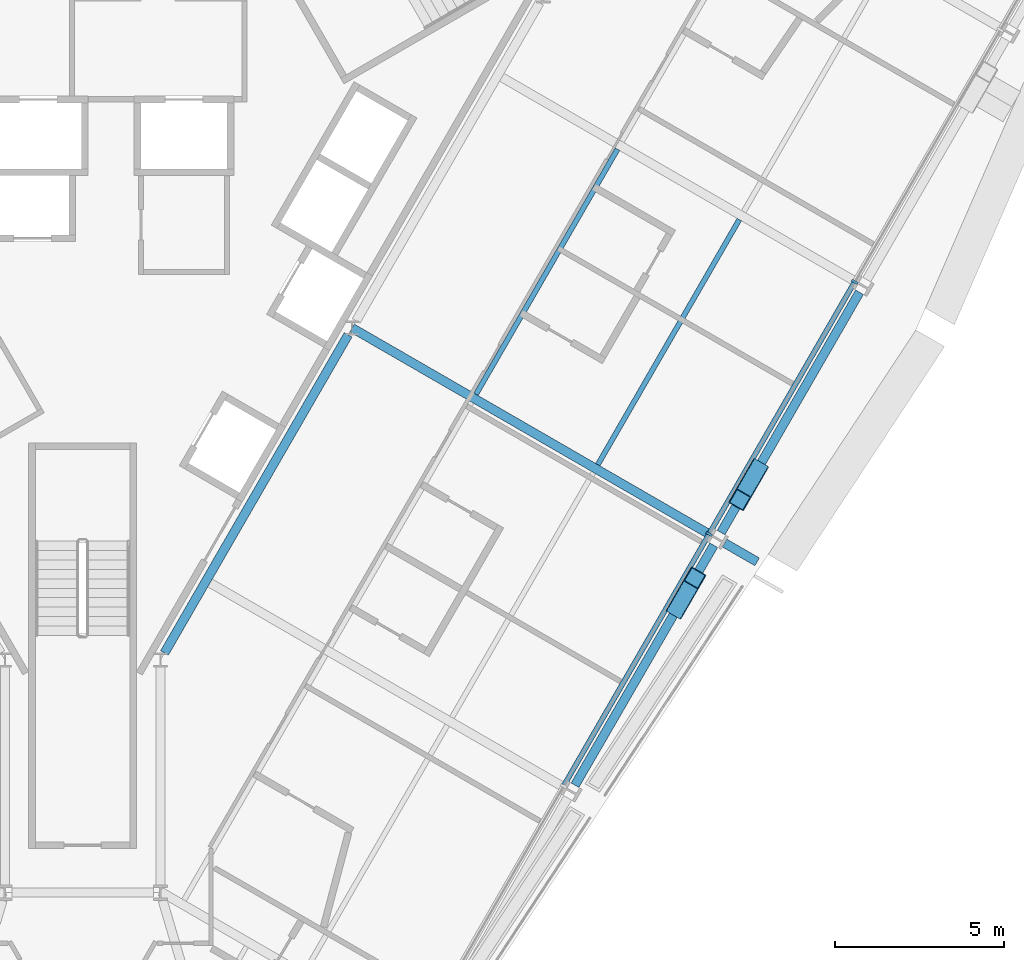
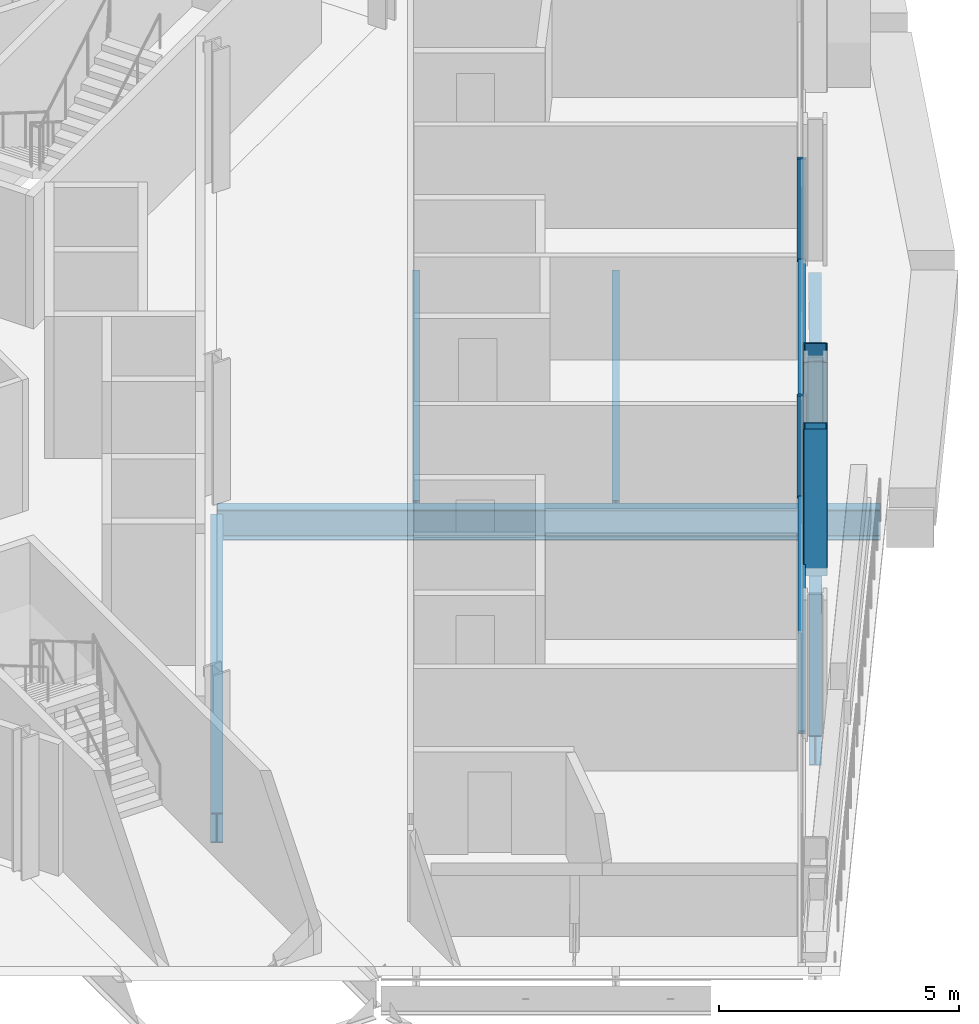
# One storey, part 6 of 18: 7 beams, 6 members, 1 element without a shape of its own.
"""IFC4 building model written with IfcOpenShell, lengths in metres."""

from ifc_helpers import new_model, si_unit, direction, frame, origin, origin_2d, place, context, subcontext, project, spatial, rectangle, hollow_rectangle, i_section, extrude, material, material_profile, profile_set, type_object, element, aggregate, save


model = new_model("IFC4")

# Units and contexts
model_context = context("Model", 3, precision=1e-05, world=origin(), true_north=direction((0.0, 1.0)))
body_context = subcontext(model_context, "Body", "Model", "MODEL_VIEW")
ifc_project = project(units=[si_unit("LENGTHUNIT", "METRE"), si_unit("AREAUNIT", "SQUARE_METRE"), si_unit("VOLUMEUNIT", "CUBIC_METRE"), si_unit("PLANEANGLEUNIT", "RADIAN"), si_unit("MASSUNIT", "GRAM", prefix="KILO")], contexts=[model_context])

# Site, building, storey
site_placement = place(None, origin())
site = spatial("IfcSite", under=ifc_project, at=site_placement, CompositionType="ELEMENT")
building_placement = place(site_placement, origin())
building = spatial("IfcBuilding", under=site, at=building_placement, Name="Verrane Prism Tower", CompositionType="ELEMENT")
storey_placement = place(building_placement, frame((0.0, 0.0, 80.0)))
storey = spatial("IfcBuildingStorey", under=building, at=storey_placement, Name="L18", CompositionType="ELEMENT", Elevation=80.0)

# Beam
ifc_material_1 = material(Name="Steel A992", Category="steel")
ifc_material_profile_1 = material_profile(ifc_material_1, i_section(OverallWidth=0.2666015625, OverallDepth=0.7568359375, WebThickness=0.013916015625, FlangeThickness=0.019287109375, FilletRadius=0.0166015625, at=origin_2d()), Name="W30x108")
ifc_profile_set_1 = profile_set([ifc_material_profile_1], Name="Steel A992")
beam_type_1 = type_object("IfcBeamType", Name="Core ring girder W30x108", PredefinedType="BEAM", material=ifc_profile_set_1)
beam_1_placement = place(storey_placement, frame((2.42041015625, -14.211669921875, -0.62841796875), z_axis=(0.500013103396, 0.866017838403, 0.0), x_axis=(-0.866017838403, 0.500013103396, 0.0)))
element("IfcBeam", 1, at=beam_1_placement, inside=storey, type_object=beam_type_1, Name="Core ring girder L18", PredefinedType="BEAM", context=body_context, shape_type="SweptSolid", body=[
    extrude(i_section(OverallWidth=0.2666015625, OverallDepth=0.7568359375, WebThickness=0.013916015625, FlangeThickness=0.019287109375, FilletRadius=0.0166015625, at=origin_2d()), origin(), (0.0, 0.0, 1.0), 10.858154296875),
])

# Members
ifc_material_2 = material(Name="Steel A1085 Grade A", Category="steel")
ifc_material_profile_2 = material_profile(ifc_material_2, hollow_rectangle(XDim=0.508056640625, YDim=0.508056640625, WallThickness=0.025390625, InnerFilletRadius=0.0126953125, OuterFilletRadius=0.0380859375, at=origin_2d()), Name="HSS20x20x1")
ifc_profile_set_2 = profile_set([ifc_material_profile_2], Name="Steel A1085 Grade A")
member_type_1 = type_object("IfcMemberType", Name="Facade brace HSS20x20x1", PredefinedType="BRACE", material=ifc_profile_set_2)
member_1_placement = place(storey_placement, frame((17.58642578125, -12.88671875, -0.24267578125), z_axis=(0.162156397274, 0.28047221555, 0.946065874624), x_axis=(-0.865723599359, 0.500522376635, 0.0)))
element("IfcMember", 2, at=member_1_placement, inside=storey, type_object=member_type_1, Name="Facade brace SE2 L18", PredefinedType="BRACE", context=body_context, shape_type="SweptSolid", body=[
    extrude(hollow_rectangle(XDim=0.508056640625, YDim=0.508056640625, WallThickness=0.025390625, InnerFilletRadius=0.0126953125, OuterFilletRadius=0.0380859375, at=origin_2d()), origin(), (0.0, 0.0, 1.0), 3.1796875),
])
member_2_placement = place(storey_placement, frame((19.95068359375, -8.790771484375, -0.24267578125), z_axis=(-0.161768620723, -0.280772589457, 0.946043163053), x_axis=(0.866473393916, -0.499223254302, 0.0)))
element("IfcMember", 3, at=member_2_placement, inside=storey, type_object=member_type_1, Name="Facade brace SE3 L18", PredefinedType="BRACE", context=body_context, shape_type="SweptSolid", body=[
    extrude(hollow_rectangle(XDim=0.508056640625, YDim=0.508056640625, WallThickness=0.025390625, InnerFilletRadius=0.0126953125, OuterFilletRadius=0.0380859375, at=origin_2d()), origin(), (0.0, 0.0, 1.0), 3.179931640625),
])

# Beams
ifc_material_3 = material(Name="Steel A992", Category="steel")
ifc_material_profile_3 = material_profile(ifc_material_3, i_section(OverallWidth=0.15234375, OverallDepth=0.449462890625, WebThickness=0.007568359375, FlangeThickness=0.0107421875, FilletRadius=0.01025390625, at=origin_2d()), Name="W18x35")
ifc_profile_set_3 = profile_set([ifc_material_profile_3], Name="Steel A992")
beam_type_2 = type_object("IfcBeamType", Name="Floor beam W18x35", PredefinedType="BEAM", material=ifc_profile_set_3)
beam_2_placement = place(storey_placement, frame((15.234619140625, -8.64306640625, -0.384765625), z_axis=(0.500002862074, 0.866023751359, 0.0), x_axis=(-0.866023751359, 0.500002862074, 0.0)))
element("IfcBeam", 4, at=beam_2_placement, inside=storey, type_object=beam_type_2, Name="Floor beam L18", PredefinedType="BEAM", context=body_context, shape_type="SweptSolid", body=[
    extrude(i_section(OverallWidth=0.15234375, OverallDepth=0.449462890625, WebThickness=0.007568359375, FlangeThickness=0.0107421875, FilletRadius=0.01025390625, at=origin_2d()), origin(), (0.0, 0.0, 1.0), 8.36572265625),
])
beam_3_placement = place(storey_placement, frame((11.632568359375, -6.56201171875, -0.384765625), z_axis=(0.499990225416, 0.86603104707, 0.0), x_axis=(-0.86603104707, 0.499990225416, 0.0)))
element("IfcBeam", 5, at=beam_3_placement, inside=storey, type_object=beam_type_2, Name="Floor beam L18", PredefinedType="BEAM", context=body_context, shape_type="SweptSolid", body=[
    extrude(i_section(OverallWidth=0.15234375, OverallDepth=0.449462890625, WebThickness=0.007568359375, FlangeThickness=0.0107421875, FilletRadius=0.01025390625, at=origin_2d()), origin(), (0.0, 0.0, 1.0), 8.365966796875),
])

# Curtain wall, members
ifc_material_4 = material(Name="Aluminium framed insulated glazing", Category="aluminium")
curtain_wall_type = type_object("IfcCurtainWallType", Name="Curtain wall CW-A 8400 module", PredefinedType="NOTDEFINED", material=ifc_material_4)
curtain_wall_placement = place(storey_placement, origin())
curtain_wall = element("IfcCurtainWall", 6, at=curtain_wall_placement, inside=storey, type_object=curtain_wall_type, Name="Glazed curtain wall south-east face L18", PredefinedType="NOTDEFINED")
ifc_material_5 = material(Name="Aluminium alloy 6063-T6", Category="aluminium")
ifc_material_profile_4 = material_profile(ifc_material_5, rectangle(XDim=0.199951171875, YDim=0.070068359375, at=origin_2d()), Name="Mullion 70x200 aluminium")
ifc_profile_set_4 = profile_set([ifc_material_profile_4], Name="Aluminium alloy 6063-T6")
member_type_2 = type_object("IfcMemberType", Name="Mullion 70x200 aluminium", PredefinedType="MULLION", material=ifc_profile_set_4)
member_3_placement = place(storey_placement, frame((18.525146484375, -10.695556640625, 0.0), z_axis=(0.0, 0.0, 1.0), x_axis=(-0.866025845387, 0.499999235121, 0.0)))
member_3 = element("IfcMember", 7, at=member_3_placement, type_object=member_type_2, Name="CW17.6 mullion 4", PredefinedType="MULLION", context=body_context, shape_type="SweptSolid", body=[
    extrude(rectangle(XDim=0.199951171875, YDim=0.070068359375, at=origin_2d()), origin(), (0.0, 0.0, 1.0), 2.61279296875),
])
member_4_placement = place(storey_placement, frame((22.828857421875, -3.2412109375, 0.0), z_axis=(0.0, 0.0, 1.0), x_axis=(-0.866025845387, 0.499999235121, 0.0)))
member_4 = element("IfcMember", 8, at=member_4_placement, type_object=member_type_2, Name="CW17.6 mullion 5", PredefinedType="MULLION", context=body_context, shape_type="SweptSolid", body=[
    extrude(rectangle(XDim=0.199951171875, YDim=0.070068359375, at=origin_2d()), origin(), (0.0, 0.0, 1.0), 2.61279296875),
])

# Beams
ifc_material_6 = material(Name="Steel A992", Category="steel")
ifc_material_profile_5 = material_profile(ifc_material_6, i_section(OverallWidth=0.2666015625, OverallDepth=0.76708984375, WebThickness=0.014892578125, FlangeThickness=0.023681640625, FilletRadius=0.0166015625, at=origin_2d()), Name="W30x124")
ifc_profile_set_5 = profile_set([ifc_material_profile_5], Name="Steel A992")
beam_type_3 = type_object("IfcBeamType", Name="Radial girder W30x124", PredefinedType="BEAM", material=ifc_profile_set_5)
beam_4_placement = place(storey_placement, frame((18.554443359375, -10.715576171875, -0.603515625), z_axis=(-0.86602594319, 0.49999906572, 0.0), x_axis=(-0.49999906572, -0.86602594319, 0.0)))
element("IfcBeam", 9, at=beam_4_placement, inside=storey, type_object=beam_type_3, Name="Radial girder L18", PredefinedType="BEAM", context=body_context, shape_type="SweptSolid", body=[
    extrude(i_section(OverallWidth=0.2666015625, OverallDepth=0.76708984375, WebThickness=0.014892578125, FlangeThickness=0.023681640625, FilletRadius=0.0166015625, at=origin_2d()), origin(), (0.0, 0.0, 1.0), 12.22412109375),
])
beam_5_placement = place(storey_placement, frame((18.982177734375, -10.96240234375, -0.603515625), z_axis=(0.865922159541, -0.500178781653, 0.0), x_axis=(0.500178781653, 0.865922159541, 0.0)))
element("IfcBeam", 10, at=beam_5_placement, inside=storey, type_object=beam_type_3, Name="Cantilever girder L18", PredefinedType="BEAM", context=body_context, shape_type="SweptSolid", body=[
    extrude(i_section(OverallWidth=0.2666015625, OverallDepth=0.76708984375, WebThickness=0.014892578125, FlangeThickness=0.023681640625, FilletRadius=0.0166015625, at=origin_2d()), origin(), (0.0, 0.0, 1.0), 1.111328125),
])
ifc_material_7 = material(Name="Steel A992", Category="steel")
ifc_material_profile_6 = material_profile(ifc_material_7, i_section(OverallWidth=0.2666015625, OverallDepth=0.7568359375, WebThickness=0.013916015625, FlangeThickness=0.019287109375, FilletRadius=0.0166015625, at=origin_2d()), Name="W30x108")
ifc_profile_set_6 = profile_set([ifc_material_profile_6], Name="Steel A992")
beam_type_4 = type_object("IfcBeamType", Name="Spandrel beam W30x108", PredefinedType="SPANDREL", material=ifc_profile_set_6)
beam_6_placement = place(storey_placement, frame((14.55810546875, -18.123046875, -0.53857421875), z_axis=(0.500619438317, 0.865667475408, 0.0), x_axis=(-0.865667475408, 0.500619438317, 0.0)))
element("IfcBeam", 11, at=beam_6_placement, inside=storey, type_object=beam_type_4, Name="Spandrel beam L18", PredefinedType="SPANDREL", context=body_context, shape_type="SweptSolid", body=[
    extrude(i_section(OverallWidth=0.2666015625, OverallDepth=0.7568359375, WebThickness=0.013916015625, FlangeThickness=0.019287109375, FilletRadius=0.0166015625, at=origin_2d()), origin(), (0.0, 0.0, 1.0), 8.197265625),
])
beam_7_placement = place(storey_placement, frame((18.877685546875, -10.65283203125, -0.53857421875), z_axis=(0.499267942203, 0.866447645209, 0.0), x_axis=(-0.866447645209, 0.499267942203, 0.0)))
element("IfcBeam", 12, at=beam_7_placement, inside=storey, type_object=beam_type_4, Name="Spandrel beam L18", PredefinedType="SPANDREL", context=body_context, shape_type="SweptSolid", body=[
    extrude(i_section(OverallWidth=0.2666015625, OverallDepth=0.7568359375, WebThickness=0.013916015625, FlangeThickness=0.019287109375, FilletRadius=0.0166015625, at=origin_2d()), origin(), (0.0, 0.0, 1.0), 8.200927734375),
])

# Member
ifc_material_8 = material(Name="Aluminium alloy 6063-T6", Category="aluminium")
ifc_material_profile_7 = material_profile(ifc_material_8, rectangle(XDim=0.14990234375, YDim=0.070068359375, at=origin_2d()), Name="Transom 70x150 aluminium")
ifc_profile_set_7 = profile_set([ifc_material_profile_7], Name="Aluminium alloy 6063-T6")
member_type_3 = type_object("IfcMemberType", Name="Transom 70x150 aluminium", PredefinedType="USERDEFINED", material=ifc_profile_set_7)
member_5_placement = place(storey_placement, frame((14.23876953125, -18.119384765625, 0.034912109375), z_axis=(0.50001124802, 0.866018909639, 0.0), x_axis=(-0.866018909639, 0.50001124802, 0.0)))
member_5 = element("IfcMember", 13, at=member_5_placement, type_object=member_type_3, Name="CW17.6 transom 3", ObjectType="TRANSOM", PredefinedType="USERDEFINED", context=body_context, shape_type="SweptSolid", body=[
    extrude(rectangle(XDim=0.14990234375, YDim=0.070068359375, at=origin_2d()), origin(), (0.0, 0.0, 1.0), 8.537353515625),
])

member_6_placement = place(storey_placement, frame((18.54248046875, -10.665283203125, 0.034912109375), z_axis=(0.499998865407, 0.866026058841, 0.0), x_axis=(-0.866026058841, 0.499998865407, 0.0)))
member_6 = element("IfcMember", 14, at=member_6_placement, type_object=member_type_3, Name="CW17.6 transom 4", ObjectType="TRANSOM", PredefinedType="USERDEFINED", context=body_context, shape_type="SweptSolid", body=[
    extrude(rectangle(XDim=0.14990234375, YDim=0.070068359375, at=origin_2d()), origin(), (0.0, 0.0, 1.0), 8.53759765625),
])

aggregate(curtain_wall, [member_3, member_4, member_5, member_6])

save(model, "model.ifc")
